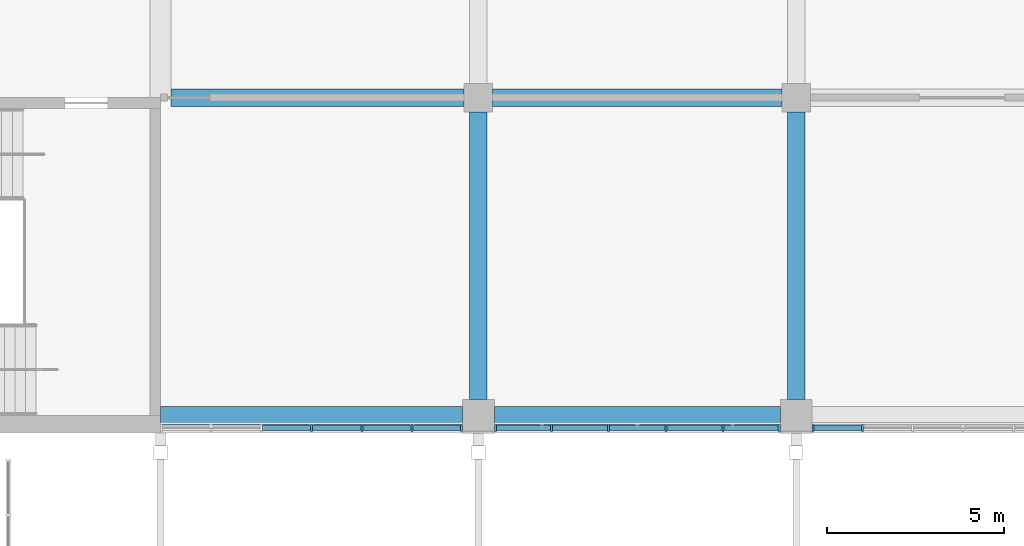
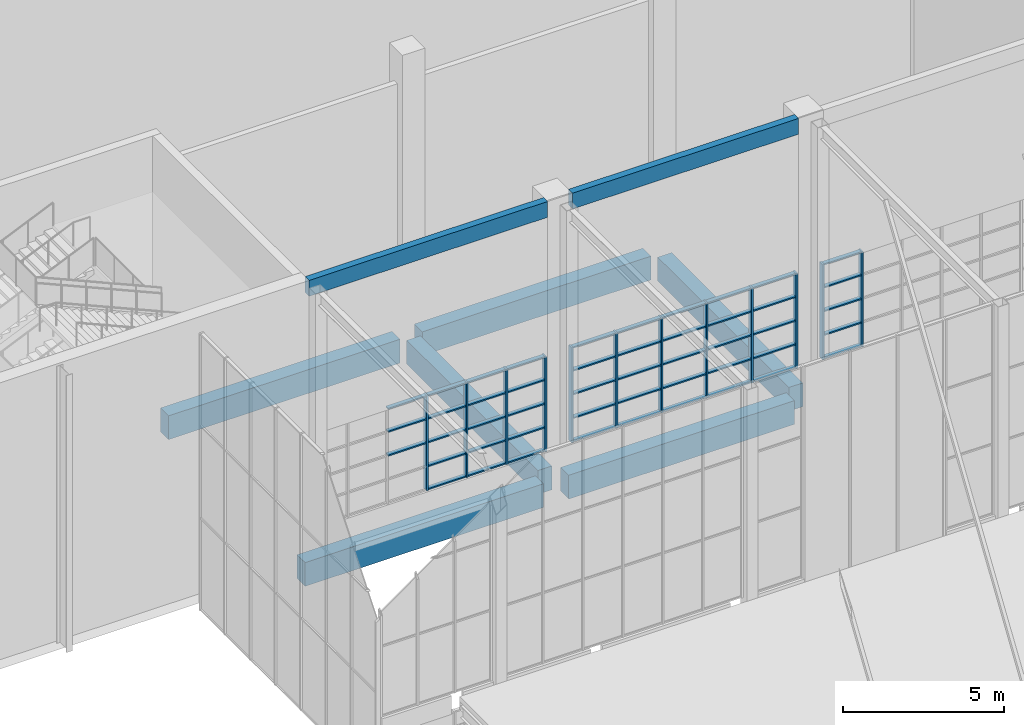
# One storey, part 20 of 182: 60 members, 8 beams, 3 elements without a shape of their own.
"""IFC4 building model written with IfcOpenShell, lengths in metres."""

from ifc_helpers import new_model, si_unit, direction, frame, origin, origin_2d, place, context, subcontext, project, spatial, rectangle, extrude, material, material_profile, profile_set, type_object, element, aggregate, save


model = new_model("IFC4")

# Units and contexts
model_context = context("Model", 3, precision=1e-05, world=origin(), true_north=direction((0.0, 1.0)))
body_context = subcontext(model_context, "Body", "Model", "MODEL_VIEW")
ifc_project = project(units=[si_unit("LENGTHUNIT", "METRE"), si_unit("AREAUNIT", "SQUARE_METRE"), si_unit("VOLUMEUNIT", "CUBIC_METRE"), si_unit("PLANEANGLEUNIT", "RADIAN"), si_unit("MASSUNIT", "GRAM", prefix="KILO")], contexts=[model_context])

# Site, building, storey
site_placement = place(None, origin())
site = spatial("IfcSite", under=ifc_project, at=site_placement, CompositionType="ELEMENT")
building_placement = place(site_placement, origin())
building = spatial("IfcBuilding", under=site, at=building_placement, Name="Silverbay Arena", CompositionType="ELEMENT")
storey_placement = place(building_placement, frame((0.0, 0.0, 11.5)))
storey = spatial("IfcBuildingStorey", under=building, at=storey_placement, Name="L02", CompositionType="ELEMENT", Elevation=11.5)

# Curtain wall, members
ifc_material_1 = material(Name="Aluminium framed curtain wall", Category="aluminium")
curtain_wall_type_1 = type_object("IfcCurtainWallType", Name="Curtain wall 8550 x 3600", PredefinedType="NOTDEFINED", material=ifc_material_1)
curtain_wall_1_placement = place(storey_placement, origin())
curtain_wall_1 = element("IfcCurtainWall", 1, at=curtain_wall_1_placement, inside=storey, type_object=curtain_wall_type_1, Name="South curtain wall L02 bay 8", PredefinedType="NOTDEFINED")
ifc_material_2 = material(Name="Aluminium", Category="aluminium")
ifc_material_profile_1 = material_profile(ifc_material_2, rectangle(XDim=0.199951171875, YDim=0.06005859375, at=origin_2d()), Name="Mullion 60 x 200")
ifc_profile_set_1 = profile_set([ifc_material_profile_1], Name="Aluminium")
member_type_1 = type_object("IfcMemberType", Name="Mullion 60 x 200", PredefinedType="MULLION", material=ifc_profile_set_1)
member_1_placement = place(storey_placement, frame((121.27490234375, 17.64990234375, 1.0), z_axis=(0.0, 0.0, 1.0), x_axis=(0.0, 1.0, 0.0)))
member_1 = element("IfcMember", 2, at=member_1_placement, type_object=member_type_1, Name="CW10 mullion 4", PredefinedType="MULLION", context=body_context, shape_type="SweptSolid", body=[
    extrude(rectangle(XDim=0.199951171875, YDim=0.06005859375, at=origin_2d()), origin(), (0.0, 0.0, 1.0), 3.60009765625),
])
member_2_placement = place(storey_placement, frame((122.699951171875, 17.64990234375, 1.0), z_axis=(0.0, 0.0, 1.0), x_axis=(0.0, 1.0, 0.0)))
member_2 = element("IfcMember", 3, at=member_2_placement, type_object=member_type_1, Name="CW10 mullion 5", PredefinedType="MULLION", context=body_context, shape_type="SweptSolid", body=[
    extrude(rectangle(XDim=0.199951171875, YDim=0.06005859375, at=origin_2d()), origin(), (0.0, 0.0, 1.0), 3.60009765625),
])
member_3_placement = place(storey_placement, frame((124.125, 17.64990234375, 1.0), z_axis=(0.0, 0.0, 1.0), x_axis=(0.0, 1.0, 0.0)))
member_3 = element("IfcMember", 4, at=member_3_placement, type_object=member_type_1, Name="CW10 mullion 6", PredefinedType="MULLION", context=body_context, shape_type="SweptSolid", body=[
    extrude(rectangle(XDim=0.199951171875, YDim=0.06005859375, at=origin_2d()), origin(), (0.0, 0.0, 1.0), 3.60009765625),
])
member_4_placement = place(storey_placement, frame((125.52001953125, 17.64990234375, 1.0), z_axis=(0.0, 0.0, 1.0), x_axis=(0.0, 1.0, 0.0)))
member_4 = element("IfcMember", 5, at=member_4_placement, type_object=member_type_1, Name="CW10 mullion 7", PredefinedType="MULLION", context=body_context, shape_type="SweptSolid", body=[
    extrude(rectangle(XDim=0.199951171875, YDim=0.06005859375, at=origin_2d()), origin(), (0.0, 0.0, 1.0), 3.60009765625),
])

ifc_material_3 = material(Name="Aluminium framed curtain wall", Category="aluminium")
curtain_wall_type_2 = type_object("IfcCurtainWallType", Name="Curtain wall 8100 x 3600", PredefinedType="NOTDEFINED", material=ifc_material_3)
curtain_wall_2_placement = place(storey_placement, origin())
curtain_wall_2 = element("IfcCurtainWall", 6, at=curtain_wall_2_placement, inside=storey, type_object=curtain_wall_type_2, Name="South curtain wall L02 bay 9", PredefinedType="NOTDEFINED")
member_5_placement = place(storey_placement, frame((126.47998046875, 17.64990234375, 1.0), z_axis=(0.0, 0.0, 1.0), x_axis=(0.0, 1.0, 0.0)))
member_5 = element("IfcMember", 7, at=member_5_placement, type_object=member_type_1, Name="CW11 mullion 1", PredefinedType="MULLION", context=body_context, shape_type="SweptSolid", body=[
    extrude(rectangle(XDim=0.199951171875, YDim=0.06005859375, at=origin_2d()), origin(), (0.0, 0.0, 1.0), 3.60009765625),
])
member_6_placement = place(storey_placement, frame((128.070068359375, 17.64990234375, 1.0), z_axis=(0.0, 0.0, 1.0), x_axis=(0.0, 1.0, 0.0)))
member_6 = element("IfcMember", 8, at=member_6_placement, type_object=member_type_1, Name="CW11 mullion 2", PredefinedType="MULLION", context=body_context, shape_type="SweptSolid", body=[
    extrude(rectangle(XDim=0.199951171875, YDim=0.06005859375, at=origin_2d()), origin(), (0.0, 0.0, 1.0), 3.60009765625),
])
member_7_placement = place(storey_placement, frame((129.68994140625, 17.64990234375, 1.0), z_axis=(0.0, 0.0, 1.0), x_axis=(0.0, 1.0, 0.0)))
member_7 = element("IfcMember", 9, at=member_7_placement, type_object=member_type_1, Name="CW11 mullion 3", PredefinedType="MULLION", context=body_context, shape_type="SweptSolid", body=[
    extrude(rectangle(XDim=0.199951171875, YDim=0.06005859375, at=origin_2d()), origin(), (0.0, 0.0, 1.0), 3.60009765625),
])
member_8_placement = place(storey_placement, frame((131.31005859375, 17.64990234375, 1.0), z_axis=(0.0, 0.0, 1.0), x_axis=(0.0, 1.0, 0.0)))
member_8 = element("IfcMember", 10, at=member_8_placement, type_object=member_type_1, Name="CW11 mullion 4", PredefinedType="MULLION", context=body_context, shape_type="SweptSolid", body=[
    extrude(rectangle(XDim=0.199951171875, YDim=0.06005859375, at=origin_2d()), origin(), (0.0, 0.0, 1.0), 3.60009765625),
])
member_9_placement = place(storey_placement, frame((132.929931640625, 17.64990234375, 1.0), z_axis=(0.0, 0.0, 1.0), x_axis=(0.0, 1.0, 0.0)))
member_9 = element("IfcMember", 11, at=member_9_placement, type_object=member_type_1, Name="CW11 mullion 5", PredefinedType="MULLION", context=body_context, shape_type="SweptSolid", body=[
    extrude(rectangle(XDim=0.199951171875, YDim=0.06005859375, at=origin_2d()), origin(), (0.0, 0.0, 1.0), 3.60009765625),
])
member_10_placement = place(storey_placement, frame((134.52001953125, 17.64990234375, 1.0), z_axis=(0.0, 0.0, 1.0), x_axis=(0.0, 1.0, 0.0)))
member_10 = element("IfcMember", 12, at=member_10_placement, type_object=member_type_1, Name="CW11 mullion 6", PredefinedType="MULLION", context=body_context, shape_type="SweptSolid", body=[
    extrude(rectangle(XDim=0.199951171875, YDim=0.06005859375, at=origin_2d()), origin(), (0.0, 0.0, 1.0), 3.60009765625),
])

curtain_wall_3_placement = place(storey_placement, origin())
curtain_wall_3 = element("IfcCurtainWall", 13, at=curtain_wall_3_placement, inside=storey, type_object=curtain_wall_type_1, Name="South curtain wall L02 bay 10", PredefinedType="NOTDEFINED")
member_11_placement = place(storey_placement, frame((135.47998046875, 17.64990234375, 1.0), z_axis=(0.0, 0.0, 1.0), x_axis=(0.0, 1.0, 0.0)))
member_11 = element("IfcMember", 14, at=member_11_placement, type_object=member_type_1, Name="CW10 mullion 1", PredefinedType="MULLION", context=body_context, shape_type="SweptSolid", body=[
    extrude(rectangle(XDim=0.199951171875, YDim=0.06005859375, at=origin_2d()), origin(), (0.0, 0.0, 1.0), 3.60009765625),
])
member_12_placement = place(storey_placement, frame((136.875, 17.64990234375, 1.0), z_axis=(0.0, 0.0, 1.0), x_axis=(0.0, 1.0, 0.0)))
member_12 = element("IfcMember", 15, at=member_12_placement, type_object=member_type_1, Name="CW10 mullion 2", PredefinedType="MULLION", context=body_context, shape_type="SweptSolid", body=[
    extrude(rectangle(XDim=0.199951171875, YDim=0.06005859375, at=origin_2d()), origin(), (0.0, 0.0, 1.0), 3.60009765625),
])

# Beams
ifc_material_4 = material(Name="Concrete Grade C45", Category="concrete")
ifc_material_profile_2 = material_profile(ifc_material_4, rectangle(XDim=0.5, YDim=0.89990234375, at=origin_2d()), Name="RC 500x900")
ifc_profile_set_2 = profile_set([ifc_material_profile_2], Name="Concrete Grade C45")
beam_type_1 = type_object("IfcBeamType", Name="RC beam 500x900", PredefinedType="BEAM", material=ifc_profile_set_2)
beam_1_placement = place(storey_placement, frame((117.0, 18.0, -0.800048828125), z_axis=(1.0, 0.0, 0.0), x_axis=(0.0, 1.0, 0.0)))
element("IfcBeam", 16, at=beam_1_placement, inside=storey, type_object=beam_type_1, Name="Floor beam L02 004", PredefinedType="BEAM", context=body_context, shape_type="SweptSolid", body=[
    extrude(rectangle(XDim=0.5, YDim=0.89990234375, at=origin_2d()), origin(), (0.0, 0.0, 1.0), 8.550048828125),
])
beam_2_placement = place(storey_placement, frame((126.449951171875, 18.0, -0.800048828125), z_axis=(1.0, 0.0, 0.0), x_axis=(0.0, 1.0, 0.0)))
element("IfcBeam", 17, at=beam_2_placement, inside=storey, type_object=beam_type_1, Name="Floor beam L02 005", PredefinedType="BEAM", context=body_context, shape_type="SweptSolid", body=[
    extrude(rectangle(XDim=0.5, YDim=0.89990234375, at=origin_2d()), origin(), (0.0, 0.0, 1.0), 8.10009765625),
])
beam_3_placement = place(storey_placement, frame((117.300048828125, 27.0, -0.800048828125), z_axis=(1.0, 0.0, 0.0), x_axis=(0.0, 1.0, 0.0)))
element("IfcBeam", 18, at=beam_3_placement, inside=storey, type_object=beam_type_1, Name="Floor beam L02 013", PredefinedType="BEAM", context=body_context, shape_type="SweptSolid", body=[
    extrude(rectangle(XDim=0.5, YDim=0.89990234375, at=origin_2d()), origin(), (0.0, 0.0, 1.0), 8.300048828125),
])
beam_4_placement = place(storey_placement, frame((126.39990234375, 27.0, -0.800048828125), z_axis=(1.0, 0.0, 0.0), x_axis=(0.0, 1.0, 0.0)))
element("IfcBeam", 19, at=beam_4_placement, inside=storey, type_object=beam_type_1, Name="Floor beam L02 014", PredefinedType="BEAM", context=body_context, shape_type="SweptSolid", body=[
    extrude(rectangle(XDim=0.5, YDim=0.89990234375, at=origin_2d()), origin(), (0.0, 0.0, 1.0), 8.2001953125),
])
for number, where, z_axis, x_axis, name in (
    (20, (126.0, 18.449951171875, -0.800048828125), (0.0, 1.0, 0.0), (-1.0, 0.0, 0.0), "Floor beam L02 265"),
    (21, (135.0, 18.449951171875, -0.800048828125), (0.0, 1.0, 0.0), (-1.0, 0.0, 0.0), "Floor beam L02 273"),
):
    element("IfcBeam", number, at=place(storey_placement, frame(where, z_axis=z_axis, x_axis=x_axis)), inside=storey, type_object=beam_type_1, Name=name, PredefinedType="BEAM", context=body_context, shape_type="SweptSolid", body=[
        extrude(rectangle(XDim=0.5, YDim=0.89990234375, at=origin_2d()), origin(), (0.0, 0.0, 1.0), 8.150146484375),
    ])
ifc_material_5 = material(Name="Concrete Grade C45", Category="concrete")
ifc_material_profile_3 = material_profile(ifc_material_5, rectangle(XDim=0.25, YDim=0.60009765625, at=origin_2d()), Name="RC 250x600")
ifc_profile_set_3 = profile_set([ifc_material_profile_3], Name="Concrete Grade C45")
beam_type_2 = type_object("IfcBeamType", Name="RC facade beam 250x600", PredefinedType="SPANDREL", material=ifc_profile_set_3)
beam_5_placement = place(storey_placement, frame((117.0, 17.625, 10.199951171875), z_axis=(1.0, 0.0, 0.0), x_axis=(0.0, 1.0, 0.0)))
element("IfcBeam", 22, at=beam_5_placement, inside=storey, type_object=beam_type_2, Name="Facade beam L02 south", PredefinedType="SPANDREL", context=body_context, shape_type="SweptSolid", body=[
    extrude(rectangle(XDim=0.25, YDim=0.60009765625, at=origin_2d()), origin(), (0.0, 0.0, 1.0), 8.550048828125),
])
beam_6_placement = place(storey_placement, frame((126.449951171875, 17.625, 10.199951171875), z_axis=(1.0, 0.0, 0.0), x_axis=(0.0, 1.0, 0.0)))
element("IfcBeam", 23, at=beam_6_placement, inside=storey, type_object=beam_type_2, Name="Facade beam L02 south", PredefinedType="SPANDREL", context=body_context, shape_type="SweptSolid", body=[
    extrude(rectangle(XDim=0.25, YDim=0.60009765625, at=origin_2d()), origin(), (0.0, 0.0, 1.0), 8.10009765625),
])

# Member
ifc_material_6 = material(Name="Aluminium", Category="aluminium")
ifc_material_profile_4 = material_profile(ifc_material_6, rectangle(XDim=0.14990234375, YDim=0.050048828125, at=origin_2d()), Name="Transom 50 x 150")
ifc_profile_set_4 = profile_set([ifc_material_profile_4], Name="Aluminium")
member_type_2 = type_object("IfcMemberType", Name="Transom 50 x 150", PredefinedType="USERDEFINED", material=ifc_profile_set_4)
member_13_placement = place(storey_placement, frame((119.8798828125, 17.64990234375, 2.800048828125), z_axis=(1.0, 0.0, 0.0), x_axis=(0.0, 1.0, 0.0)))
member_13 = element("IfcMember", 24, at=member_13_placement, type_object=member_type_2, Name="CW10 transom 3.3", ObjectType="TRANSOM", PredefinedType="USERDEFINED", context=body_context, shape_type="SweptSolid", body=[
    extrude(rectangle(XDim=0.14990234375, YDim=0.050048828125, at=origin_2d()), origin(), (0.0, 0.0, 1.0), 1.365234375),
])

member_14_placement = place(storey_placement, frame((119.8798828125, 17.64990234375, 3.699951171875), z_axis=(1.0, 0.0, 0.0), x_axis=(0.0, 1.0, 0.0)))
member_14 = element("IfcMember", 25, at=member_14_placement, type_object=member_type_2, Name="CW10 transom 3.4", ObjectType="TRANSOM", PredefinedType="USERDEFINED", context=body_context, shape_type="SweptSolid", body=[
    extrude(rectangle(XDim=0.14990234375, YDim=0.050048828125, at=origin_2d()), origin(), (0.0, 0.0, 1.0), 1.365234375),
])

member_15_placement = place(storey_placement, frame((119.8798828125, 17.64990234375, 4.574951171875), z_axis=(1.0, 0.0, 0.0), x_axis=(0.0, 1.0, 0.0)))
member_15 = element("IfcMember", 26, at=member_15_placement, type_object=member_type_2, Name="CW10 transom 3.5", ObjectType="TRANSOM", PredefinedType="USERDEFINED", context=body_context, shape_type="SweptSolid", body=[
    extrude(rectangle(XDim=0.14990234375, YDim=0.050048828125, at=origin_2d()), origin(), (0.0, 0.0, 1.0), 1.365234375),
])

member_16_placement = place(storey_placement, frame((121.304931640625, 17.64990234375, 1.02490234375), z_axis=(1.0, 0.0, 0.0), x_axis=(0.0, 1.0, 0.0)))
member_16 = element("IfcMember", 27, at=member_16_placement, type_object=member_type_2, Name="CW10 transom 4.1", ObjectType="TRANSOM", PredefinedType="USERDEFINED", context=body_context, shape_type="SweptSolid", body=[
    extrude(rectangle(XDim=0.14990234375, YDim=0.050048828125, at=origin_2d()), origin(), (0.0, 0.0, 1.0), 1.364990234375),
])

member_17_placement = place(storey_placement, frame((121.304931640625, 17.64990234375, 1.89990234375), z_axis=(1.0, 0.0, 0.0), x_axis=(0.0, 1.0, 0.0)))
member_17 = element("IfcMember", 28, at=member_17_placement, type_object=member_type_2, Name="CW10 transom 4.2", ObjectType="TRANSOM", PredefinedType="USERDEFINED", context=body_context, shape_type="SweptSolid", body=[
    extrude(rectangle(XDim=0.14990234375, YDim=0.050048828125, at=origin_2d()), origin(), (0.0, 0.0, 1.0), 1.364990234375),
])

member_18_placement = place(storey_placement, frame((121.304931640625, 17.64990234375, 2.800048828125), z_axis=(1.0, 0.0, 0.0), x_axis=(0.0, 1.0, 0.0)))
member_18 = element("IfcMember", 29, at=member_18_placement, type_object=member_type_2, Name="CW10 transom 4.3", ObjectType="TRANSOM", PredefinedType="USERDEFINED", context=body_context, shape_type="SweptSolid", body=[
    extrude(rectangle(XDim=0.14990234375, YDim=0.050048828125, at=origin_2d()), origin(), (0.0, 0.0, 1.0), 1.364990234375),
])

member_19_placement = place(storey_placement, frame((121.304931640625, 17.64990234375, 3.699951171875), z_axis=(1.0, 0.0, 0.0), x_axis=(0.0, 1.0, 0.0)))
member_19 = element("IfcMember", 30, at=member_19_placement, type_object=member_type_2, Name="CW10 transom 4.4", ObjectType="TRANSOM", PredefinedType="USERDEFINED", context=body_context, shape_type="SweptSolid", body=[
    extrude(rectangle(XDim=0.14990234375, YDim=0.050048828125, at=origin_2d()), origin(), (0.0, 0.0, 1.0), 1.364990234375),
])

member_20_placement = place(storey_placement, frame((121.304931640625, 17.64990234375, 4.574951171875), z_axis=(1.0, 0.0, 0.0), x_axis=(0.0, 1.0, 0.0)))
member_20 = element("IfcMember", 31, at=member_20_placement, type_object=member_type_2, Name="CW10 transom 4.5", ObjectType="TRANSOM", PredefinedType="USERDEFINED", context=body_context, shape_type="SweptSolid", body=[
    extrude(rectangle(XDim=0.14990234375, YDim=0.050048828125, at=origin_2d()), origin(), (0.0, 0.0, 1.0), 1.364990234375),
])

member_21_placement = place(storey_placement, frame((122.72998046875, 17.64990234375, 1.02490234375), z_axis=(1.0, 0.0, 0.0), x_axis=(0.0, 1.0, 0.0)))
member_21 = element("IfcMember", 32, at=member_21_placement, type_object=member_type_2, Name="CW10 transom 5.1", ObjectType="TRANSOM", PredefinedType="USERDEFINED", context=body_context, shape_type="SweptSolid", body=[
    extrude(rectangle(XDim=0.14990234375, YDim=0.050048828125, at=origin_2d()), origin(), (0.0, 0.0, 1.0), 1.364990234375),
])

member_22_placement = place(storey_placement, frame((122.72998046875, 17.64990234375, 1.89990234375), z_axis=(1.0, 0.0, 0.0), x_axis=(0.0, 1.0, 0.0)))
member_22 = element("IfcMember", 33, at=member_22_placement, type_object=member_type_2, Name="CW10 transom 5.2", ObjectType="TRANSOM", PredefinedType="USERDEFINED", context=body_context, shape_type="SweptSolid", body=[
    extrude(rectangle(XDim=0.14990234375, YDim=0.050048828125, at=origin_2d()), origin(), (0.0, 0.0, 1.0), 1.364990234375),
])

member_23_placement = place(storey_placement, frame((122.72998046875, 17.64990234375, 2.800048828125), z_axis=(1.0, 0.0, 0.0), x_axis=(0.0, 1.0, 0.0)))
member_23 = element("IfcMember", 34, at=member_23_placement, type_object=member_type_2, Name="CW10 transom 5.3", ObjectType="TRANSOM", PredefinedType="USERDEFINED", context=body_context, shape_type="SweptSolid", body=[
    extrude(rectangle(XDim=0.14990234375, YDim=0.050048828125, at=origin_2d()), origin(), (0.0, 0.0, 1.0), 1.364990234375),
])

member_24_placement = place(storey_placement, frame((122.72998046875, 17.64990234375, 3.699951171875), z_axis=(1.0, 0.0, 0.0), x_axis=(0.0, 1.0, 0.0)))
member_24 = element("IfcMember", 35, at=member_24_placement, type_object=member_type_2, Name="CW10 transom 5.4", ObjectType="TRANSOM", PredefinedType="USERDEFINED", context=body_context, shape_type="SweptSolid", body=[
    extrude(rectangle(XDim=0.14990234375, YDim=0.050048828125, at=origin_2d()), origin(), (0.0, 0.0, 1.0), 1.364990234375),
])

member_25_placement = place(storey_placement, frame((122.72998046875, 17.64990234375, 4.574951171875), z_axis=(1.0, 0.0, 0.0), x_axis=(0.0, 1.0, 0.0)))
member_25 = element("IfcMember", 36, at=member_25_placement, type_object=member_type_2, Name="CW10 transom 5.5", ObjectType="TRANSOM", PredefinedType="USERDEFINED", context=body_context, shape_type="SweptSolid", body=[
    extrude(rectangle(XDim=0.14990234375, YDim=0.050048828125, at=origin_2d()), origin(), (0.0, 0.0, 1.0), 1.364990234375),
])

member_26_placement = place(storey_placement, frame((124.155029296875, 17.64990234375, 1.02490234375), z_axis=(1.0, 0.0, 0.0), x_axis=(0.0, 1.0, 0.0)))
member_26 = element("IfcMember", 37, at=member_26_placement, type_object=member_type_2, Name="CW10 transom 6.1", ObjectType="TRANSOM", PredefinedType="USERDEFINED", context=body_context, shape_type="SweptSolid", body=[
    extrude(rectangle(XDim=0.14990234375, YDim=0.050048828125, at=origin_2d()), origin(), (0.0, 0.0, 1.0), 1.3349609375),
])

member_27_placement = place(storey_placement, frame((124.155029296875, 17.64990234375, 1.89990234375), z_axis=(1.0, 0.0, 0.0), x_axis=(0.0, 1.0, 0.0)))
member_27 = element("IfcMember", 38, at=member_27_placement, type_object=member_type_2, Name="CW10 transom 6.2", ObjectType="TRANSOM", PredefinedType="USERDEFINED", context=body_context, shape_type="SweptSolid", body=[
    extrude(rectangle(XDim=0.14990234375, YDim=0.050048828125, at=origin_2d()), origin(), (0.0, 0.0, 1.0), 1.3349609375),
])

member_28_placement = place(storey_placement, frame((124.155029296875, 17.64990234375, 2.800048828125), z_axis=(1.0, 0.0, 0.0), x_axis=(0.0, 1.0, 0.0)))
member_28 = element("IfcMember", 39, at=member_28_placement, type_object=member_type_2, Name="CW10 transom 6.3", ObjectType="TRANSOM", PredefinedType="USERDEFINED", context=body_context, shape_type="SweptSolid", body=[
    extrude(rectangle(XDim=0.14990234375, YDim=0.050048828125, at=origin_2d()), origin(), (0.0, 0.0, 1.0), 1.3349609375),
])

member_29_placement = place(storey_placement, frame((124.155029296875, 17.64990234375, 3.699951171875), z_axis=(1.0, 0.0, 0.0), x_axis=(0.0, 1.0, 0.0)))
member_29 = element("IfcMember", 40, at=member_29_placement, type_object=member_type_2, Name="CW10 transom 6.4", ObjectType="TRANSOM", PredefinedType="USERDEFINED", context=body_context, shape_type="SweptSolid", body=[
    extrude(rectangle(XDim=0.14990234375, YDim=0.050048828125, at=origin_2d()), origin(), (0.0, 0.0, 1.0), 1.3349609375),
])

member_30_placement = place(storey_placement, frame((124.155029296875, 17.64990234375, 4.574951171875), z_axis=(1.0, 0.0, 0.0), x_axis=(0.0, 1.0, 0.0)))
member_30 = element("IfcMember", 41, at=member_30_placement, type_object=member_type_2, Name="CW10 transom 6.5", ObjectType="TRANSOM", PredefinedType="USERDEFINED", context=body_context, shape_type="SweptSolid", body=[
    extrude(rectangle(XDim=0.14990234375, YDim=0.050048828125, at=origin_2d()), origin(), (0.0, 0.0, 1.0), 1.3349609375),
])

aggregate(curtain_wall_1, [member_1, member_2, member_3, member_4, member_13, member_14, member_15, member_16, member_17, member_18, member_19, member_20, member_21, member_22, member_23, member_24, member_25, member_26, member_27, member_28, member_29, member_30])

member_31_placement = place(storey_placement, frame((126.510009765625, 17.64990234375, 1.02490234375), z_axis=(1.0, 0.0, 0.0), x_axis=(0.0, 1.0, 0.0)))
member_31 = element("IfcMember", 42, at=member_31_placement, type_object=member_type_2, Name="CW11 transom 1.1", ObjectType="TRANSOM", PredefinedType="USERDEFINED", context=body_context, shape_type="SweptSolid", body=[
    extrude(rectangle(XDim=0.14990234375, YDim=0.050048828125, at=origin_2d()), origin(), (0.0, 0.0, 1.0), 1.530029296875),
])

member_32_placement = place(storey_placement, frame((126.510009765625, 17.64990234375, 1.89990234375), z_axis=(1.0, 0.0, 0.0), x_axis=(0.0, 1.0, 0.0)))
member_32 = element("IfcMember", 43, at=member_32_placement, type_object=member_type_2, Name="CW11 transom 1.2", ObjectType="TRANSOM", PredefinedType="USERDEFINED", context=body_context, shape_type="SweptSolid", body=[
    extrude(rectangle(XDim=0.14990234375, YDim=0.050048828125, at=origin_2d()), origin(), (0.0, 0.0, 1.0), 1.530029296875),
])

member_33_placement = place(storey_placement, frame((126.510009765625, 17.64990234375, 2.800048828125), z_axis=(1.0, 0.0, 0.0), x_axis=(0.0, 1.0, 0.0)))
member_33 = element("IfcMember", 44, at=member_33_placement, type_object=member_type_2, Name="CW11 transom 1.3", ObjectType="TRANSOM", PredefinedType="USERDEFINED", context=body_context, shape_type="SweptSolid", body=[
    extrude(rectangle(XDim=0.14990234375, YDim=0.050048828125, at=origin_2d()), origin(), (0.0, 0.0, 1.0), 1.530029296875),
])

member_34_placement = place(storey_placement, frame((126.510009765625, 17.64990234375, 3.699951171875), z_axis=(1.0, 0.0, 0.0), x_axis=(0.0, 1.0, 0.0)))
member_34 = element("IfcMember", 45, at=member_34_placement, type_object=member_type_2, Name="CW11 transom 1.4", ObjectType="TRANSOM", PredefinedType="USERDEFINED", context=body_context, shape_type="SweptSolid", body=[
    extrude(rectangle(XDim=0.14990234375, YDim=0.050048828125, at=origin_2d()), origin(), (0.0, 0.0, 1.0), 1.530029296875),
])

member_35_placement = place(storey_placement, frame((126.510009765625, 17.64990234375, 4.574951171875), z_axis=(1.0, 0.0, 0.0), x_axis=(0.0, 1.0, 0.0)))
member_35 = element("IfcMember", 46, at=member_35_placement, type_object=member_type_2, Name="CW11 transom 1.5", ObjectType="TRANSOM", PredefinedType="USERDEFINED", context=body_context, shape_type="SweptSolid", body=[
    extrude(rectangle(XDim=0.14990234375, YDim=0.050048828125, at=origin_2d()), origin(), (0.0, 0.0, 1.0), 1.530029296875),
])

member_36_placement = place(storey_placement, frame((128.10009765625, 17.64990234375, 1.02490234375), z_axis=(1.0, 0.0, 0.0), x_axis=(0.0, 1.0, 0.0)))
member_36 = element("IfcMember", 47, at=member_36_placement, type_object=member_type_2, Name="CW11 transom 2.1", ObjectType="TRANSOM", PredefinedType="USERDEFINED", context=body_context, shape_type="SweptSolid", body=[
    extrude(rectangle(XDim=0.14990234375, YDim=0.050048828125, at=origin_2d()), origin(), (0.0, 0.0, 1.0), 1.559814453125),
])

member_37_placement = place(storey_placement, frame((128.10009765625, 17.64990234375, 1.89990234375), z_axis=(1.0, 0.0, 0.0), x_axis=(0.0, 1.0, 0.0)))
member_37 = element("IfcMember", 48, at=member_37_placement, type_object=member_type_2, Name="CW11 transom 2.2", ObjectType="TRANSOM", PredefinedType="USERDEFINED", context=body_context, shape_type="SweptSolid", body=[
    extrude(rectangle(XDim=0.14990234375, YDim=0.050048828125, at=origin_2d()), origin(), (0.0, 0.0, 1.0), 1.559814453125),
])

member_38_placement = place(storey_placement, frame((128.10009765625, 17.64990234375, 2.800048828125), z_axis=(1.0, 0.0, 0.0), x_axis=(0.0, 1.0, 0.0)))
member_38 = element("IfcMember", 49, at=member_38_placement, type_object=member_type_2, Name="CW11 transom 2.3", ObjectType="TRANSOM", PredefinedType="USERDEFINED", context=body_context, shape_type="SweptSolid", body=[
    extrude(rectangle(XDim=0.14990234375, YDim=0.050048828125, at=origin_2d()), origin(), (0.0, 0.0, 1.0), 1.559814453125),
])

member_39_placement = place(storey_placement, frame((128.10009765625, 17.64990234375, 3.699951171875), z_axis=(1.0, 0.0, 0.0), x_axis=(0.0, 1.0, 0.0)))
member_39 = element("IfcMember", 50, at=member_39_placement, type_object=member_type_2, Name="CW11 transom 2.4", ObjectType="TRANSOM", PredefinedType="USERDEFINED", context=body_context, shape_type="SweptSolid", body=[
    extrude(rectangle(XDim=0.14990234375, YDim=0.050048828125, at=origin_2d()), origin(), (0.0, 0.0, 1.0), 1.559814453125),
])

member_40_placement = place(storey_placement, frame((128.10009765625, 17.64990234375, 4.574951171875), z_axis=(1.0, 0.0, 0.0), x_axis=(0.0, 1.0, 0.0)))
member_40 = element("IfcMember", 51, at=member_40_placement, type_object=member_type_2, Name="CW11 transom 2.5", ObjectType="TRANSOM", PredefinedType="USERDEFINED", context=body_context, shape_type="SweptSolid", body=[
    extrude(rectangle(XDim=0.14990234375, YDim=0.050048828125, at=origin_2d()), origin(), (0.0, 0.0, 1.0), 1.559814453125),
])

member_41_placement = place(storey_placement, frame((129.719970703125, 17.64990234375, 1.02490234375), z_axis=(1.0, 0.0, 0.0), x_axis=(0.0, 1.0, 0.0)))
member_41 = element("IfcMember", 52, at=member_41_placement, type_object=member_type_2, Name="CW11 transom 3.1", ObjectType="TRANSOM", PredefinedType="USERDEFINED", context=body_context, shape_type="SweptSolid", body=[
    extrude(rectangle(XDim=0.14990234375, YDim=0.050048828125, at=origin_2d()), origin(), (0.0, 0.0, 1.0), 1.56005859375),
])

member_42_placement = place(storey_placement, frame((129.719970703125, 17.64990234375, 1.89990234375), z_axis=(1.0, 0.0, 0.0), x_axis=(0.0, 1.0, 0.0)))
member_42 = element("IfcMember", 53, at=member_42_placement, type_object=member_type_2, Name="CW11 transom 3.2", ObjectType="TRANSOM", PredefinedType="USERDEFINED", context=body_context, shape_type="SweptSolid", body=[
    extrude(rectangle(XDim=0.14990234375, YDim=0.050048828125, at=origin_2d()), origin(), (0.0, 0.0, 1.0), 1.56005859375),
])

member_43_placement = place(storey_placement, frame((129.719970703125, 17.64990234375, 2.800048828125), z_axis=(1.0, 0.0, 0.0), x_axis=(0.0, 1.0, 0.0)))
member_43 = element("IfcMember", 54, at=member_43_placement, type_object=member_type_2, Name="CW11 transom 3.3", ObjectType="TRANSOM", PredefinedType="USERDEFINED", context=body_context, shape_type="SweptSolid", body=[
    extrude(rectangle(XDim=0.14990234375, YDim=0.050048828125, at=origin_2d()), origin(), (0.0, 0.0, 1.0), 1.56005859375),
])

member_44_placement = place(storey_placement, frame((129.719970703125, 17.64990234375, 3.699951171875), z_axis=(1.0, 0.0, 0.0), x_axis=(0.0, 1.0, 0.0)))
member_44 = element("IfcMember", 55, at=member_44_placement, type_object=member_type_2, Name="CW11 transom 3.4", ObjectType="TRANSOM", PredefinedType="USERDEFINED", context=body_context, shape_type="SweptSolid", body=[
    extrude(rectangle(XDim=0.14990234375, YDim=0.050048828125, at=origin_2d()), origin(), (0.0, 0.0, 1.0), 1.56005859375),
])

member_45_placement = place(storey_placement, frame((129.719970703125, 17.64990234375, 4.574951171875), z_axis=(1.0, 0.0, 0.0), x_axis=(0.0, 1.0, 0.0)))
member_45 = element("IfcMember", 56, at=member_45_placement, type_object=member_type_2, Name="CW11 transom 3.5", ObjectType="TRANSOM", PredefinedType="USERDEFINED", context=body_context, shape_type="SweptSolid", body=[
    extrude(rectangle(XDim=0.14990234375, YDim=0.050048828125, at=origin_2d()), origin(), (0.0, 0.0, 1.0), 1.56005859375),
])

member_46_placement = place(storey_placement, frame((131.340087890625, 17.64990234375, 1.02490234375), z_axis=(1.0, 0.0, 0.0), x_axis=(0.0, 1.0, 0.0)))
member_46 = element("IfcMember", 57, at=member_46_placement, type_object=member_type_2, Name="CW11 transom 4.1", ObjectType="TRANSOM", PredefinedType="USERDEFINED", context=body_context, shape_type="SweptSolid", body=[
    extrude(rectangle(XDim=0.14990234375, YDim=0.050048828125, at=origin_2d()), origin(), (0.0, 0.0, 1.0), 1.559814453125),
])

member_47_placement = place(storey_placement, frame((131.340087890625, 17.64990234375, 1.89990234375), z_axis=(1.0, 0.0, 0.0), x_axis=(0.0, 1.0, 0.0)))
member_47 = element("IfcMember", 58, at=member_47_placement, type_object=member_type_2, Name="CW11 transom 4.2", ObjectType="TRANSOM", PredefinedType="USERDEFINED", context=body_context, shape_type="SweptSolid", body=[
    extrude(rectangle(XDim=0.14990234375, YDim=0.050048828125, at=origin_2d()), origin(), (0.0, 0.0, 1.0), 1.559814453125),
])

member_48_placement = place(storey_placement, frame((131.340087890625, 17.64990234375, 2.800048828125), z_axis=(1.0, 0.0, 0.0), x_axis=(0.0, 1.0, 0.0)))
member_48 = element("IfcMember", 59, at=member_48_placement, type_object=member_type_2, Name="CW11 transom 4.3", ObjectType="TRANSOM", PredefinedType="USERDEFINED", context=body_context, shape_type="SweptSolid", body=[
    extrude(rectangle(XDim=0.14990234375, YDim=0.050048828125, at=origin_2d()), origin(), (0.0, 0.0, 1.0), 1.559814453125),
])

member_49_placement = place(storey_placement, frame((131.340087890625, 17.64990234375, 3.699951171875), z_axis=(1.0, 0.0, 0.0), x_axis=(0.0, 1.0, 0.0)))
member_49 = element("IfcMember", 60, at=member_49_placement, type_object=member_type_2, Name="CW11 transom 4.4", ObjectType="TRANSOM", PredefinedType="USERDEFINED", context=body_context, shape_type="SweptSolid", body=[
    extrude(rectangle(XDim=0.14990234375, YDim=0.050048828125, at=origin_2d()), origin(), (0.0, 0.0, 1.0), 1.559814453125),
])

member_50_placement = place(storey_placement, frame((131.340087890625, 17.64990234375, 4.574951171875), z_axis=(1.0, 0.0, 0.0), x_axis=(0.0, 1.0, 0.0)))
member_50 = element("IfcMember", 61, at=member_50_placement, type_object=member_type_2, Name="CW11 transom 4.5", ObjectType="TRANSOM", PredefinedType="USERDEFINED", context=body_context, shape_type="SweptSolid", body=[
    extrude(rectangle(XDim=0.14990234375, YDim=0.050048828125, at=origin_2d()), origin(), (0.0, 0.0, 1.0), 1.559814453125),
])

member_51_placement = place(storey_placement, frame((132.9599609375, 17.64990234375, 1.02490234375), z_axis=(1.0, 0.0, 0.0), x_axis=(0.0, 1.0, 0.0)))
member_51 = element("IfcMember", 62, at=member_51_placement, type_object=member_type_2, Name="CW11 transom 5.1", ObjectType="TRANSOM", PredefinedType="USERDEFINED", context=body_context, shape_type="SweptSolid", body=[
    extrude(rectangle(XDim=0.14990234375, YDim=0.050048828125, at=origin_2d()), origin(), (0.0, 0.0, 1.0), 1.530029296875),
])

member_52_placement = place(storey_placement, frame((132.9599609375, 17.64990234375, 1.89990234375), z_axis=(1.0, 0.0, 0.0), x_axis=(0.0, 1.0, 0.0)))
member_52 = element("IfcMember", 63, at=member_52_placement, type_object=member_type_2, Name="CW11 transom 5.2", ObjectType="TRANSOM", PredefinedType="USERDEFINED", context=body_context, shape_type="SweptSolid", body=[
    extrude(rectangle(XDim=0.14990234375, YDim=0.050048828125, at=origin_2d()), origin(), (0.0, 0.0, 1.0), 1.530029296875),
])

member_53_placement = place(storey_placement, frame((132.9599609375, 17.64990234375, 2.800048828125), z_axis=(1.0, 0.0, 0.0), x_axis=(0.0, 1.0, 0.0)))
member_53 = element("IfcMember", 64, at=member_53_placement, type_object=member_type_2, Name="CW11 transom 5.3", ObjectType="TRANSOM", PredefinedType="USERDEFINED", context=body_context, shape_type="SweptSolid", body=[
    extrude(rectangle(XDim=0.14990234375, YDim=0.050048828125, at=origin_2d()), origin(), (0.0, 0.0, 1.0), 1.530029296875),
])

member_54_placement = place(storey_placement, frame((132.9599609375, 17.64990234375, 3.699951171875), z_axis=(1.0, 0.0, 0.0), x_axis=(0.0, 1.0, 0.0)))
member_54 = element("IfcMember", 65, at=member_54_placement, type_object=member_type_2, Name="CW11 transom 5.4", ObjectType="TRANSOM", PredefinedType="USERDEFINED", context=body_context, shape_type="SweptSolid", body=[
    extrude(rectangle(XDim=0.14990234375, YDim=0.050048828125, at=origin_2d()), origin(), (0.0, 0.0, 1.0), 1.530029296875),
])

member_55_placement = place(storey_placement, frame((132.9599609375, 17.64990234375, 4.574951171875), z_axis=(1.0, 0.0, 0.0), x_axis=(0.0, 1.0, 0.0)))
member_55 = element("IfcMember", 66, at=member_55_placement, type_object=member_type_2, Name="CW11 transom 5.5", ObjectType="TRANSOM", PredefinedType="USERDEFINED", context=body_context, shape_type="SweptSolid", body=[
    extrude(rectangle(XDim=0.14990234375, YDim=0.050048828125, at=origin_2d()), origin(), (0.0, 0.0, 1.0), 1.530029296875),
])

aggregate(curtain_wall_2, [member_5, member_6, member_7, member_8, member_9, member_10, member_31, member_32, member_33, member_34, member_35, member_36, member_37, member_38, member_39, member_40, member_41, member_42, member_43, member_44, member_45, member_46, member_47, member_48, member_49, member_50, member_51, member_52, member_53, member_54, member_55])

member_56_placement = place(storey_placement, frame((135.510009765625, 17.64990234375, 1.02490234375), z_axis=(1.0, 0.0, 0.0), x_axis=(0.0, 1.0, 0.0)))
member_56 = element("IfcMember", 67, at=member_56_placement, type_object=member_type_2, Name="CW10 transom 1.1", ObjectType="TRANSOM", PredefinedType="USERDEFINED", context=body_context, shape_type="SweptSolid", body=[
    extrude(rectangle(XDim=0.14990234375, YDim=0.050048828125, at=origin_2d()), origin(), (0.0, 0.0, 1.0), 1.3349609375),
])

member_57_placement = place(storey_placement, frame((135.510009765625, 17.64990234375, 1.89990234375), z_axis=(1.0, 0.0, 0.0), x_axis=(0.0, 1.0, 0.0)))
member_57 = element("IfcMember", 68, at=member_57_placement, type_object=member_type_2, Name="CW10 transom 1.2", ObjectType="TRANSOM", PredefinedType="USERDEFINED", context=body_context, shape_type="SweptSolid", body=[
    extrude(rectangle(XDim=0.14990234375, YDim=0.050048828125, at=origin_2d()), origin(), (0.0, 0.0, 1.0), 1.3349609375),
])

member_58_placement = place(storey_placement, frame((135.510009765625, 17.64990234375, 2.800048828125), z_axis=(1.0, 0.0, 0.0), x_axis=(0.0, 1.0, 0.0)))
member_58 = element("IfcMember", 69, at=member_58_placement, type_object=member_type_2, Name="CW10 transom 1.3", ObjectType="TRANSOM", PredefinedType="USERDEFINED", context=body_context, shape_type="SweptSolid", body=[
    extrude(rectangle(XDim=0.14990234375, YDim=0.050048828125, at=origin_2d()), origin(), (0.0, 0.0, 1.0), 1.3349609375),
])

member_59_placement = place(storey_placement, frame((135.510009765625, 17.64990234375, 3.699951171875), z_axis=(1.0, 0.0, 0.0), x_axis=(0.0, 1.0, 0.0)))
member_59 = element("IfcMember", 70, at=member_59_placement, type_object=member_type_2, Name="CW10 transom 1.4", ObjectType="TRANSOM", PredefinedType="USERDEFINED", context=body_context, shape_type="SweptSolid", body=[
    extrude(rectangle(XDim=0.14990234375, YDim=0.050048828125, at=origin_2d()), origin(), (0.0, 0.0, 1.0), 1.3349609375),
])

member_60_placement = place(storey_placement, frame((135.510009765625, 17.64990234375, 4.574951171875), z_axis=(1.0, 0.0, 0.0), x_axis=(0.0, 1.0, 0.0)))
member_60 = element("IfcMember", 71, at=member_60_placement, type_object=member_type_2, Name="CW10 transom 1.5", ObjectType="TRANSOM", PredefinedType="USERDEFINED", context=body_context, shape_type="SweptSolid", body=[
    extrude(rectangle(XDim=0.14990234375, YDim=0.050048828125, at=origin_2d()), origin(), (0.0, 0.0, 1.0), 1.3349609375),
])

aggregate(curtain_wall_3, [member_11, member_12, member_56, member_57, member_58, member_59, member_60])

save(model, "model.ifc")
